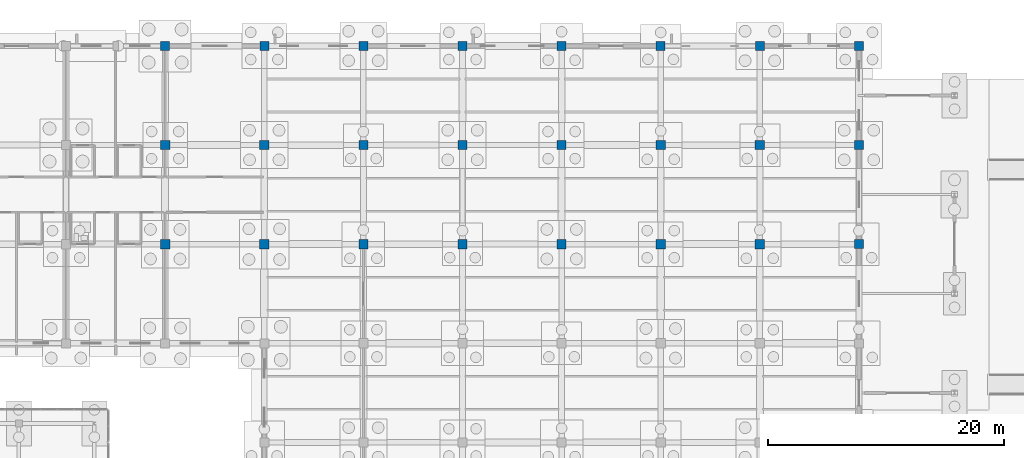
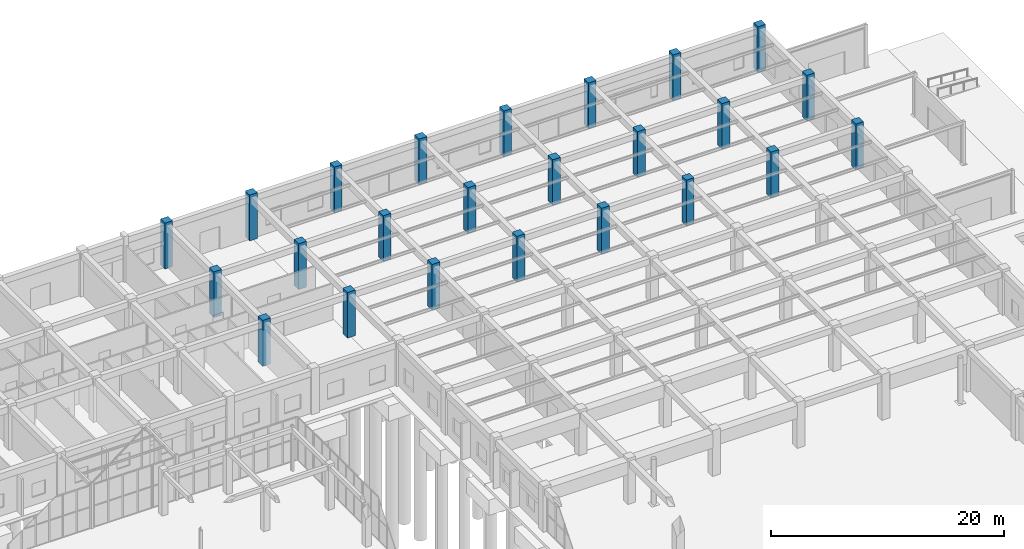
# One storey, part 46 of 192: 24 columns.
"""IFC4 building model written with IfcOpenShell, lengths in metres."""

from ifc_helpers import new_model, si_unit, direction, frame, origin, origin_2d, place, context, subcontext, project, spatial, rectangle, extrude, material, material_profile, profile_set, type_object, element, save


model = new_model("IFC4")

# Units and contexts
model_context = context("Model", 3, precision=1e-05, world=origin(), true_north=direction((0.0, 1.0)))
body_context = subcontext(model_context, "Body", "Model", "MODEL_VIEW")
ifc_project = project(units=[si_unit("LENGTHUNIT", "METRE"), si_unit("AREAUNIT", "SQUARE_METRE"), si_unit("VOLUMEUNIT", "CUBIC_METRE"), si_unit("PLANEANGLEUNIT", "RADIAN"), si_unit("MASSUNIT", "GRAM", prefix="KILO")], contexts=[model_context])

# Site, building, storey
site_placement = place(None, origin())
site = spatial("IfcSite", under=ifc_project, at=site_placement, CompositionType="ELEMENT")
building_placement = place(site_placement, origin())
building = spatial("IfcBuilding", under=site, at=building_placement, Name="Trelvath General Hospital", CompositionType="ELEMENT")
storey_placement = place(building_placement, origin())
storey = spatial("IfcBuildingStorey", under=building, at=storey_placement, Name="L00", CompositionType="ELEMENT", Elevation=0.0)

# Columns
ifc_material_1 = material(Name="Concrete C40/50", Category="concrete")
ifc_material_profile_1 = material_profile(ifc_material_1, rectangle(XDim=0.760009765625, YDim=0.760009765625, at=origin_2d()), Name="RC760x760")
ifc_profile_set_1 = profile_set([ifc_material_profile_1], Name="Concrete C40/50")
column_type_1 = type_object("IfcColumnType", Name="Column RC760", PredefinedType="COLUMN", material=ifc_profile_set_1)
for number, where, z_axis, x_axis, name in (
    (1, (126.0, 117.60009765625, 0.0), (0.0, 0.0, 1.0), (1.0, 0.0, 0.0), "Column C-16O L00"),
    (2, (134.39990234375, 117.60009765625, 0.0), (0.0, 0.0, 1.0), (1.0, 0.0, 0.0), "Column C-17O L00"),
    (3, (142.800048828125, 117.60009765625, 0.0), (0.0, 0.0, 1.0), (1.0, 0.0, 0.0), "Column C-18O L00"),
    (4, (151.199951171875, 117.60009765625, 0.0), (0.0, 0.0, 1.0), (1.0, 0.0, 0.0), "Column C-19O L00"),
    (5, (159.60009765625, 117.60009765625, 0.0), (0.0, 0.0, 1.0), (1.0, 0.0, 0.0), "Column C-20O L00"),
    (6, (168.0, 117.60009765625, 0.0), (0.0, 0.0, 1.0), (1.0, 0.0, 0.0), "Column C-21O L00"),
    (7, (176.39990234375, 117.60009765625, 0.0), (0.0, 0.0, 1.0), (1.0, 0.0, 0.0), "Column C-22O L00"),
    (8, (184.800048828125, 100.800048828125, 0.0), (0.0, 0.0, 1.0), (1.0, 0.0, 0.0), "Column C-23M L00"),
    (9, (184.800048828125, 109.199951171875, 0.0), (0.0, 0.0, 1.0), (1.0, 0.0, 0.0), "Column C-23N L00"),
    (10, (184.800048828125, 117.60009765625, 0.0), (0.0, 0.0, 1.0), (1.0, 0.0, 0.0), "Column C-23O L00"),
):
    element("IfcColumn", number, at=place(storey_placement, frame(where, z_axis=z_axis, x_axis=x_axis)), inside=storey, type_object=column_type_1, Name=name, PredefinedType="COLUMN", context=body_context, shape_type="SweptSolid", body=[
        extrude(rectangle(XDim=0.760009765625, YDim=0.760009765625, at=origin_2d()), origin(), (0.0, 0.0, 1.0), 4.800048828125),
    ])
ifc_material_2 = material(Name="Concrete C40/50", Category="concrete")
ifc_material_profile_2 = material_profile(ifc_material_2, rectangle(XDim=0.780029296875, YDim=0.780029296875, at=origin_2d()), Name="RC780x780")
ifc_profile_set_2 = profile_set([ifc_material_profile_2], Name="Concrete C40/50")
column_type_2 = type_object("IfcColumnType", Name="Column RC780", PredefinedType="COLUMN", material=ifc_profile_set_2)
for number, where, z_axis, x_axis, name in (
    (11, (126.0, 100.800048828125, 0.0), (0.0, 0.0, 1.0), (1.0, 0.0, 0.0), "Column C-16M L00"),
    (12, (126.0, 109.199951171875, 0.0), (0.0, 0.0, 1.0), (1.0, 0.0, 0.0), "Column C-16N L00"),
    (13, (134.39990234375, 100.800048828125, 0.0), (0.0, 0.0, 1.0), (1.0, 0.0, 0.0), "Column C-17M L00"),
    (14, (134.39990234375, 109.199951171875, 0.0), (0.0, 0.0, 1.0), (1.0, 0.0, 0.0), "Column C-17N L00"),
    (15, (142.800048828125, 100.800048828125, 0.0), (0.0, 0.0, 1.0), (1.0, 0.0, 0.0), "Column C-18M L00"),
    (16, (142.800048828125, 109.199951171875, 0.0), (0.0, 0.0, 1.0), (1.0, 0.0, 0.0), "Column C-18N L00"),
    (17, (151.199951171875, 100.800048828125, 0.0), (0.0, 0.0, 1.0), (1.0, 0.0, 0.0), "Column C-19M L00"),
    (18, (151.199951171875, 109.199951171875, 0.0), (0.0, 0.0, 1.0), (1.0, 0.0, 0.0), "Column C-19N L00"),
    (19, (159.60009765625, 100.800048828125, 0.0), (0.0, 0.0, 1.0), (1.0, 0.0, 0.0), "Column C-20M L00"),
    (20, (159.60009765625, 109.199951171875, 0.0), (0.0, 0.0, 1.0), (1.0, 0.0, 0.0), "Column C-20N L00"),
    (21, (168.0, 100.800048828125, 0.0), (0.0, 0.0, 1.0), (1.0, 0.0, 0.0), "Column C-21M L00"),
    (22, (168.0, 109.199951171875, 0.0), (0.0, 0.0, 1.0), (1.0, 0.0, 0.0), "Column C-21N L00"),
    (23, (176.39990234375, 100.800048828125, 0.0), (0.0, 0.0, 1.0), (1.0, 0.0, 0.0), "Column C-22M L00"),
    (24, (176.39990234375, 109.199951171875, 0.0), (0.0, 0.0, 1.0), (1.0, 0.0, 0.0), "Column C-22N L00"),
):
    element("IfcColumn", number, at=place(storey_placement, frame(where, z_axis=z_axis, x_axis=x_axis)), inside=storey, type_object=column_type_2, Name=name, PredefinedType="COLUMN", context=body_context, shape_type="SweptSolid", body=[
        extrude(rectangle(XDim=0.780029296875, YDim=0.780029296875, at=origin_2d()), origin(), (0.0, 0.0, 1.0), 4.800048828125),
    ])

save(model, "model.ifc")
